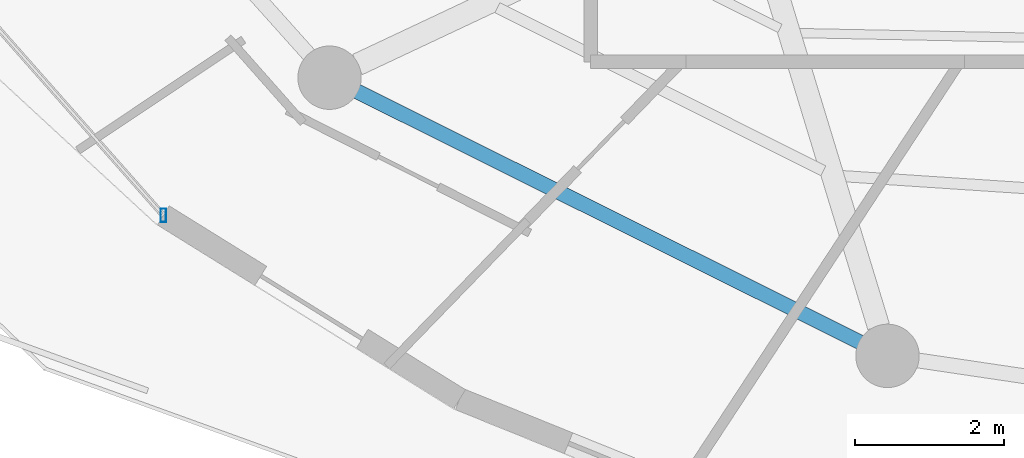
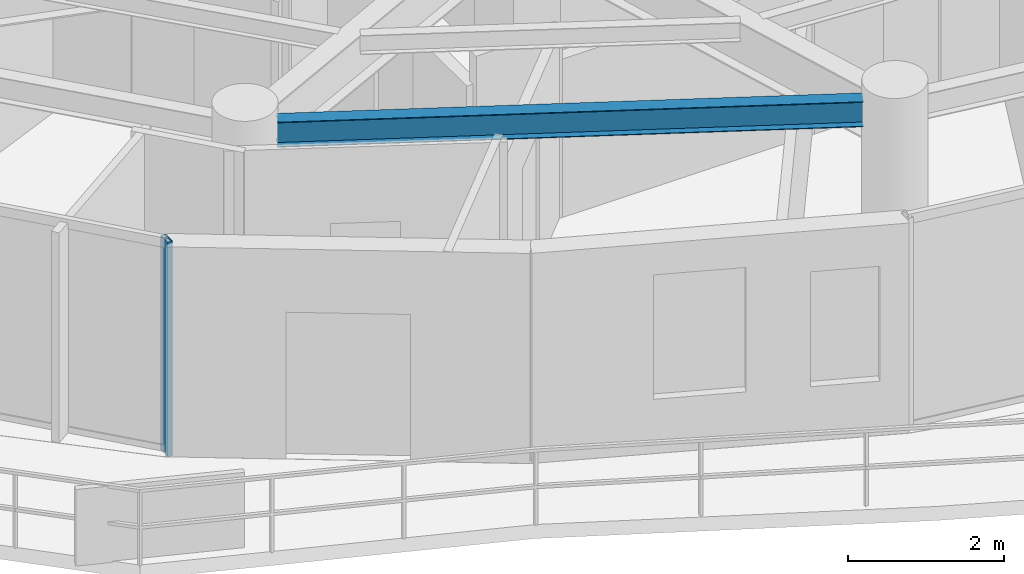
# One storey, part 2 of 30: 1 beam, 1 member, 1 element without a shape of its own.
"""IFC4 building model written with IfcOpenShell, lengths in metres."""

from ifc_helpers import new_model, si_unit, direction, frame, origin, origin_2d, place, context, subcontext, project, spatial, hollow_rectangle, i_section, extrude, material, material_profile, profile_set, type_object, element, aggregate, save


model = new_model("IFC4")

# Units and contexts
model_context = context("Model", 3, precision=1e-05, world=origin(), true_north=direction((0.0, 1.0)))
body_context = subcontext(model_context, "Body", "Model", "MODEL_VIEW")
ifc_project = project(units=[si_unit("LENGTHUNIT", "METRE"), si_unit("AREAUNIT", "SQUARE_METRE"), si_unit("VOLUMEUNIT", "CUBIC_METRE"), si_unit("PLANEANGLEUNIT", "RADIAN"), si_unit("MASSUNIT", "GRAM", prefix="KILO")], contexts=[model_context])

# Site, building, storey
site_placement = place(None, origin())
site = spatial("IfcSite", under=ifc_project, at=site_placement, CompositionType="ELEMENT")
building_placement = place(site_placement, origin())
building = spatial("IfcBuilding", under=site, at=building_placement, Name="Vorneva Point Tower", CompositionType="ELEMENT")
storey_placement = place(building_placement, frame((0.0, 0.0, 252.0)))
storey = spatial("IfcBuildingStorey", under=building, at=storey_placement, Name="L68", CompositionType="ELEMENT", Elevation=252.0)

# Beam
ifc_material_1 = material(Name="Steel S355", Category="steel")
ifc_material_profile_1 = material_profile(ifc_material_1, i_section(OverallWidth=0.198974609375, OverallDepth=0.39599609375, WebThickness=0.007080078125, FlangeThickness=0.010986328125, at=origin_2d()), Name="40B1")
ifc_profile_set_1 = profile_set([ifc_material_profile_1], Name="Steel S355")
beam_type = type_object("IfcBeamType", Name="BM-SPN-40B1", PredefinedType="SPANDREL", material=ifc_profile_set_1)
beam_placement = place(storey_placement, frame((22.068115234375, 13.65478515625, 3.092041015625), z_axis=(0.894932011528, -0.446202526599, 0.0), x_axis=(0.446202526599, 0.894932011528, 0.0)))
element("IfcBeam", 1, at=beam_placement, inside=storey, type_object=beam_type, Name="L68 Perimeter Spandrel Ring Beam 11", PredefinedType="SPANDREL", context=body_context, shape_type="SweptSolid", body=[
    extrude(i_section(OverallWidth=0.198974609375, OverallDepth=0.39599609375, WebThickness=0.007080078125, FlangeThickness=0.010986328125, at=origin_2d()), origin(), (0.0, 0.0, 1.0), 7.535888671875),
])

# Curtain wall, member
ifc_material_2 = material(Name="Pale anodised aluminium", Category="aluminium")
curtain_wall_type = type_object("IfcCurtainWallType", Name="CW-RES-SYS", PredefinedType="NOTDEFINED", material=ifc_material_2)
curtain_wall_placement = place(storey_placement, origin())
curtain_wall = element("IfcCurtainWall", 2, at=curtain_wall_placement, inside=storey, type_object=curtain_wall_type, Name="L68 Unitised Curtain Wall CW-L68-R03", PredefinedType="NOTDEFINED")
ifc_material_profile_2 = material_profile(ifc_material_2, hollow_rectangle(XDim=0.074951171875, YDim=0.179931640625, WallThickness=0.00390625, at=origin_2d()), Name="AL-MUL 180x75x4")
ifc_profile_set_2 = profile_set([ifc_material_profile_2], Name="Pale anodised aluminium")
member_type = type_object("IfcMemberType", Name="CW-MUL-180", PredefinedType="MULLION", material=ifc_profile_set_2)
member_placement = place(storey_placement, frame((19.473876953125, 11.9921875, -0.0400390625), z_axis=(0.0, 0.0, 1.0), x_axis=(1.0, 0.0, 0.0)))
member = element("IfcMember", 3, at=member_placement, type_object=member_type, Name="CW-L68-R03 Mullion 05", PredefinedType="MULLION", context=body_context, shape_type="SweptSolid", body=[
    extrude(hollow_rectangle(XDim=0.074951171875, YDim=0.179931640625, WallThickness=0.00390625, at=origin_2d()), origin(), (0.0, 0.0, 1.0), 3.360107421875),
])
aggregate(curtain_wall, [member])

save(model, "model.ifc")
